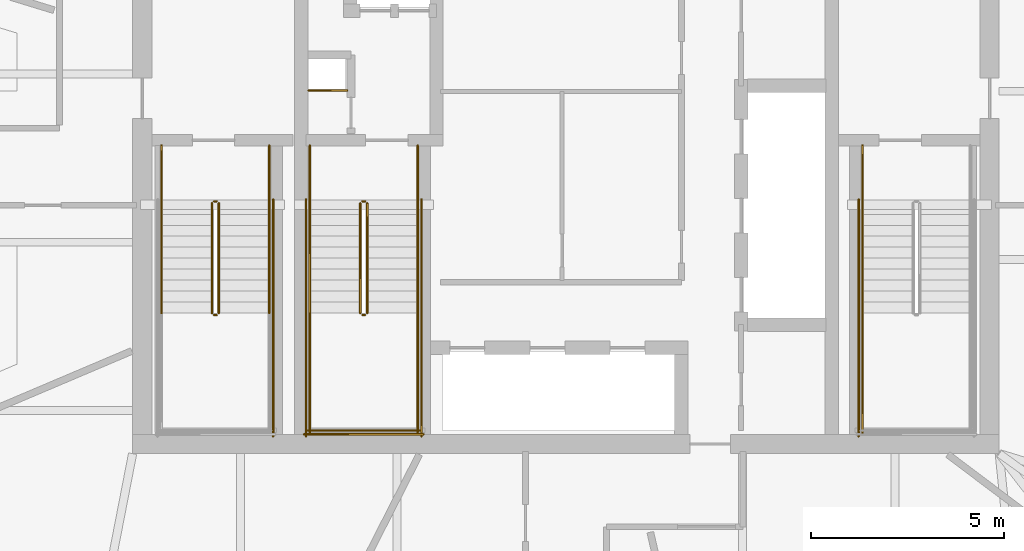
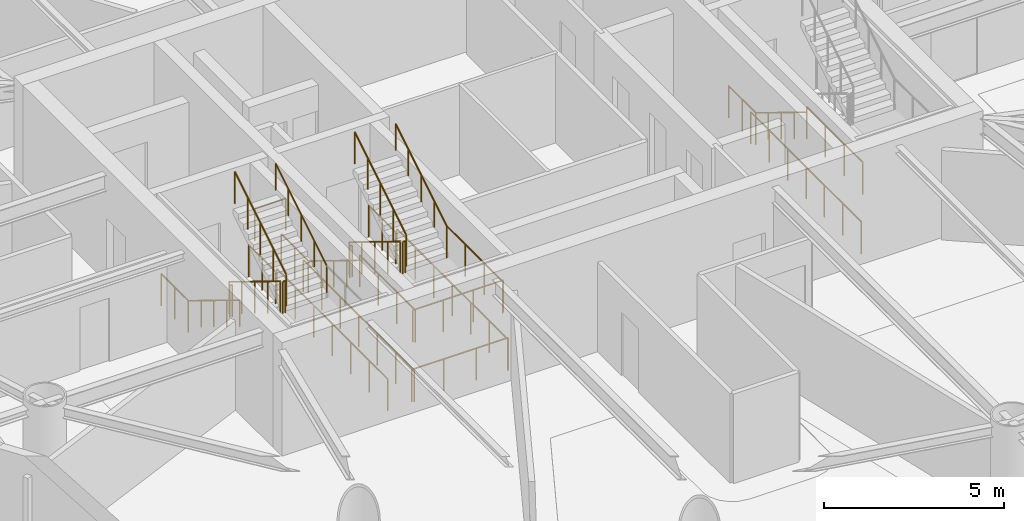
# One storey, part 22 of 25: 28 railings.
"""IFC4 building model written with IfcOpenShell, lengths in metres."""

from ifc_helpers import new_model, si_unit, direction, frame, origin, origin_2d, place, context, subcontext, project, spatial, circle, extrude, material, type_object, element, save


model = new_model("IFC4")

# Units and contexts
model_context = context("Model", 3, precision=1e-05, world=origin(), true_north=direction((0.0, 1.0)))
body_context = subcontext(model_context, "Body", "Model", "MODEL_VIEW")
ifc_project = project(units=[si_unit("LENGTHUNIT", "METRE"), si_unit("AREAUNIT", "SQUARE_METRE"), si_unit("VOLUMEUNIT", "CUBIC_METRE"), si_unit("PLANEANGLEUNIT", "RADIAN"), si_unit("MASSUNIT", "GRAM", prefix="KILO")], contexts=[model_context])

# Site, building, storey
site_placement = place(None, origin())
site = spatial("IfcSite", under=ifc_project, at=site_placement, CompositionType="ELEMENT")
building_placement = place(site_placement, origin())
building = spatial("IfcBuilding", under=site, at=building_placement, Name="Bramvorn Convention Spire", CompositionType="ELEMENT")
storey_placement = place(building_placement, frame((0.0, 0.0, 171.199951171875)))
storey = spatial("IfcBuildingStorey", under=building, at=storey_placement, Name="L43", CompositionType="ELEMENT", Elevation=171.199951171875)

# Railings
ifc_material_1 = material(Name="Painted Steel Balustrade & Guardrail", Category="steel")
railing_type_1 = type_object("IfcRailingType", Name="RL-STAIR-GUARD-1100", PredefinedType="GUARDRAIL", material=ifc_material_1)
railing_1_placement = place(storey_placement, frame((28.81005859375, 25.050048828125, 0.175048828125)))
element("IfcRailing", 1, at=railing_1_placement, inside=storey, type_object=railing_type_1, Name="L43 ST1 stair guard 1", PredefinedType="GUARDRAIL", context=body_context, shape_type="SweptSolid", body=[
    extrude(circle(Radius=0.02392578125, at=origin_2d()), frame((0.0, 0.0, 1.076171875), z_axis=(0.0, -0.852179220489, 0.52325001306), x_axis=(1.0, 0.0, 0.0)), (0.0, 0.0, 1.0), 3.344482421875),
    extrude(circle(Radius=0.02099609375, at=origin_2d()), origin(), (0.0, 0.0, 1.0), 1.052001953125),
    extrude(circle(Radius=0.02099609375, at=origin_2d()), frame((0.0, -0.71240234375, 0.4375)), (0.0, 0.0, 1.0), 1.052001953125),
    extrude(circle(Radius=0.02099609375, at=origin_2d()), frame((0.0, -1.425048828125, 0.875)), (0.0, 0.0, 1.0), 1.052001953125),
    extrude(circle(Radius=0.02099609375, at=origin_2d()), frame((0.0, -2.1376953125, 1.3125)), (0.0, 0.0, 1.0), 1.052001953125),
    extrude(circle(Radius=0.02099609375, at=origin_2d()), frame((0.0, -2.85009765625, 1.75)), (0.0, 0.0, 1.0), 1.052001953125),
])
railing_2_placement = place(storey_placement, frame((28.860107421875, 22.14990234375, 1.925048828125)))
element("IfcRailing", 2, at=railing_2_placement, inside=storey, type_object=railing_type_1, Name="L43 ST1 stair guard 2", PredefinedType="GUARDRAIL", context=body_context, shape_type="SweptSolid", body=[
    extrude(circle(Radius=0.02392578125, at=origin_2d()), frame((0.0, 0.0, 1.076171875), z_axis=(1.0, 0.0, 0.0), x_axis=(0.0, 1.0, 0.0)), (0.0, 0.0, 1.0), 0.079833984375),
    extrude(circle(Radius=0.02099609375, at=origin_2d()), origin(), (0.0, 0.0, 1.0), 1.052001953125),
    extrude(circle(Radius=0.02099609375, at=origin_2d()), frame((0.079833984375, 0.0, 0.0)), (0.0, 0.0, 1.0), 1.052001953125),
])
railing_3_placement = place(storey_placement, frame((28.989990234375, 22.199951171875, 2.10009765625)))
element("IfcRailing", 3, at=railing_3_placement, inside=storey, type_object=railing_type_1, Name="L43 ST1 stair guard 6", PredefinedType="GUARDRAIL", context=body_context, shape_type="SweptSolid", body=[
    extrude(circle(Radius=0.02392578125, at=origin_2d()), frame((0.0, 0.0, 1.076171875), z_axis=(0.0, 0.852179220489, 0.52325001306), x_axis=(-1.0, 0.0, 0.0)), (0.0, 0.0, 1.0), 3.344482421875),
    extrude(circle(Radius=0.02099609375, at=origin_2d()), origin(), (0.0, 0.0, 1.0), 1.052001953125),
    extrude(circle(Radius=0.02099609375, at=origin_2d()), frame((0.0, 0.71240234375, 0.4375)), (0.0, 0.0, 1.0), 1.052001953125),
    extrude(circle(Radius=0.02099609375, at=origin_2d()), frame((0.0, 1.425048828125, 0.875)), (0.0, 0.0, 1.0), 1.052001953125),
    extrude(circle(Radius=0.02099609375, at=origin_2d()), frame((0.0, 2.1376953125, 1.3125)), (0.0, 0.0, 1.0), 1.052001953125),
    extrude(circle(Radius=0.02099609375, at=origin_2d()), frame((0.0, 2.85009765625, 1.75)), (0.0, 0.0, 1.0), 1.052001953125),
])
railing_4_placement = place(storey_placement, frame((28.860107421875, 25.10009765625, 0.0)))
element("IfcRailing", 4, at=railing_4_placement, inside=storey, type_object=railing_type_1, Name="L43 ST1 stair guard 7", PredefinedType="GUARDRAIL", context=body_context, shape_type="SweptSolid", body=[
    extrude(circle(Radius=0.02392578125, at=origin_2d()), frame((0.0, 0.0, 1.076171875), z_axis=(1.0, 0.0, 0.0), x_axis=(0.0, 1.0, 0.0)), (0.0, 0.0, 1.0), 0.079833984375),
    extrude(circle(Radius=0.02099609375, at=origin_2d()), origin(), (0.0, 0.0, 1.0), 1.052001953125),
    extrude(circle(Radius=0.02099609375, at=origin_2d()), frame((0.079833984375, 0.0, 0.0)), (0.0, 0.0, 1.0), 1.052001953125),
])
for number, where, name in (
    (5, (27.5, 26.550048828125, 0.0), "L43 ST1 stair guard 8"),
    (6, (30.300048828125, 26.550048828125, 0.0), "L43 ST1 stair guard 9"),
):
    element("IfcRailing", number, at=place(storey_placement, frame(where)), inside=storey, type_object=railing_type_1, Name=name, PredefinedType="GUARDRAIL", context=body_context, shape_type="SweptSolid", body=[
        extrude(circle(Radius=0.02392578125, at=origin_2d()), frame((0.0, 0.0, 1.076171875), z_axis=(0.0, -1.0, 0.0), x_axis=(1.0, 0.0, 0.0)), (0.0, 0.0, 1.0), 1.5),
        extrude(circle(Radius=0.02099609375, at=origin_2d()), origin(), (0.0, 0.0, 1.0), 1.052001953125),
        extrude(circle(Radius=0.02099609375, at=origin_2d()), frame((0.0, -0.75, 0.0)), (0.0, 0.0, 1.0), 1.052001953125),
        extrude(circle(Radius=0.02099609375, at=origin_2d()), frame((0.0, -1.5, 0.0)), (0.0, 0.0, 1.0), 1.052001953125),
    ])
railing_5_placement = place(storey_placement, frame((30.39990234375, 25.14990234375, 0.0)))
element("IfcRailing", 7, at=railing_5_placement, inside=storey, type_object=railing_type_1, Name="L43 ST1 stair guard 11", PredefinedType="GUARDRAIL", context=body_context, shape_type="SweptSolid", body=[
    extrude(circle(Radius=0.02392578125, at=origin_2d()), frame((0.0, 0.0, 1.076171875), z_axis=(0.0, -1.0, 0.0), x_axis=(1.0, 0.0, 0.0)), (0.0, 0.0, 1.0), 6.14990234375),
    extrude(circle(Radius=0.02099609375, at=origin_2d()), origin(), (0.0, 0.0, 1.0), 1.052001953125),
    extrude(circle(Radius=0.02099609375, at=origin_2d()), frame((0.0, -1.02490234375, 0.0)), (0.0, 0.0, 1.0), 1.052001953125),
    extrude(circle(Radius=0.02099609375, at=origin_2d()), frame((0.0, -2.050048828125, 0.0)), (0.0, 0.0, 1.0), 1.052001953125),
    extrude(circle(Radius=0.02099609375, at=origin_2d()), frame((0.0, -3.074951171875, 0.0)), (0.0, 0.0, 1.0), 1.052001953125),
    extrude(circle(Radius=0.02099609375, at=origin_2d()), frame((0.0, -4.099853515625, 0.0)), (0.0, 0.0, 1.0), 1.052001953125),
    extrude(circle(Radius=0.02099609375, at=origin_2d()), frame((0.0, -5.125, 0.0)), (0.0, 0.0, 1.0), 1.052001953125),
    extrude(circle(Radius=0.02099609375, at=origin_2d()), frame((0.0, -6.14990234375, 0.0)), (0.0, 0.0, 1.0), 1.052001953125),
])
railing_6_placement = place(storey_placement, frame((45.699951171875, 22.199951171875, 1.925048828125)))
element("IfcRailing", 8, at=railing_6_placement, inside=storey, type_object=railing_type_1, Name="L43 ST2 stair guard 3", PredefinedType="GUARDRAIL", context=body_context, shape_type="SweptSolid", body=[
    extrude(circle(Radius=0.02392578125, at=origin_2d()), frame((0.0, 0.0, 1.076171875), z_axis=(0.0, -1.0, 0.0), x_axis=(1.0, 0.0, 0.0)), (0.0, 0.0, 1.0), 3.099853515625),
    extrude(circle(Radius=0.02099609375, at=origin_2d()), origin(), (0.0, 0.0, 1.0), 1.052001953125),
    extrude(circle(Radius=0.02099609375, at=origin_2d()), frame((0.0, -1.033203125, 0.0)), (0.0, 0.0, 1.0), 1.052001953125),
    extrude(circle(Radius=0.02099609375, at=origin_2d()), frame((0.0, -2.066650390625, 0.0)), (0.0, 0.0, 1.0), 1.052001953125),
    extrude(circle(Radius=0.02099609375, at=origin_2d()), frame((0.0, -3.099853515625, 0.0)), (0.0, 0.0, 1.0), 1.052001953125),
])
railing_7_placement = place(storey_placement, frame((45.699951171875, 26.550048828125, 0.0)))
element("IfcRailing", 9, at=railing_7_placement, inside=storey, type_object=railing_type_1, Name="L43 ST2 stair guard 8", PredefinedType="GUARDRAIL", context=body_context, shape_type="SweptSolid", body=[
    extrude(circle(Radius=0.02392578125, at=origin_2d()), frame((0.0, 0.0, 1.076171875), z_axis=(0.0, -1.0, 0.0), x_axis=(1.0, 0.0, 0.0)), (0.0, 0.0, 1.0), 1.5),
    extrude(circle(Radius=0.02099609375, at=origin_2d()), origin(), (0.0, 0.0, 1.0), 1.052001953125),
    extrude(circle(Radius=0.02099609375, at=origin_2d()), frame((0.0, -0.75, 0.0)), (0.0, 0.0, 1.0), 1.052001953125),
    extrude(circle(Radius=0.02099609375, at=origin_2d()), frame((0.0, -1.5, 0.0)), (0.0, 0.0, 1.0), 1.052001953125),
])
railing_8_placement = place(storey_placement, frame((45.60009765625, 25.14990234375, 0.0)))
element("IfcRailing", 10, at=railing_8_placement, inside=storey, type_object=railing_type_1, Name="L43 ST2 stair guard 10", PredefinedType="GUARDRAIL", context=body_context, shape_type="SweptSolid", body=[
    extrude(circle(Radius=0.02392578125, at=origin_2d()), frame((0.0, 0.0, 1.076171875), z_axis=(0.0, -1.0, 0.0), x_axis=(1.0, 0.0, 0.0)), (0.0, 0.0, 1.0), 6.14990234375),
    extrude(circle(Radius=0.02099609375, at=origin_2d()), origin(), (0.0, 0.0, 1.0), 1.052001953125),
    extrude(circle(Radius=0.02099609375, at=origin_2d()), frame((0.0, -1.02490234375, 0.0)), (0.0, 0.0, 1.0), 1.052001953125),
    extrude(circle(Radius=0.02099609375, at=origin_2d()), frame((0.0, -2.050048828125, 0.0)), (0.0, 0.0, 1.0), 1.052001953125),
    extrude(circle(Radius=0.02099609375, at=origin_2d()), frame((0.0, -3.074951171875, 0.0)), (0.0, 0.0, 1.0), 1.052001953125),
    extrude(circle(Radius=0.02099609375, at=origin_2d()), frame((0.0, -4.099853515625, 0.0)), (0.0, 0.0, 1.0), 1.052001953125),
    extrude(circle(Radius=0.02099609375, at=origin_2d()), frame((0.0, -5.125, 0.0)), (0.0, 0.0, 1.0), 1.052001953125),
    extrude(circle(Radius=0.02099609375, at=origin_2d()), frame((0.0, -6.14990234375, 0.0)), (0.0, 0.0, 1.0), 1.052001953125),
])
railing_9_placement = place(storey_placement, frame((32.659912109375, 25.050048828125, 0.175048828125)))
element("IfcRailing", 11, at=railing_9_placement, inside=storey, type_object=railing_type_1, Name="L43 ST3 stair guard 1", PredefinedType="GUARDRAIL", context=body_context, shape_type="SweptSolid", body=[
    extrude(circle(Radius=0.02392578125, at=origin_2d()), frame((0.0, 0.0, 1.076171875), z_axis=(0.0, -0.852179220489, 0.52325001306), x_axis=(1.0, 0.0, 0.0)), (0.0, 0.0, 1.0), 3.344482421875),
    extrude(circle(Radius=0.02099609375, at=origin_2d()), origin(), (0.0, 0.0, 1.0), 1.052001953125),
    extrude(circle(Radius=0.02099609375, at=origin_2d()), frame((0.0, -0.71240234375, 0.4375)), (0.0, 0.0, 1.0), 1.052001953125),
    extrude(circle(Radius=0.02099609375, at=origin_2d()), frame((0.0, -1.425048828125, 0.875)), (0.0, 0.0, 1.0), 1.052001953125),
    extrude(circle(Radius=0.02099609375, at=origin_2d()), frame((0.0, -2.1376953125, 1.3125)), (0.0, 0.0, 1.0), 1.052001953125),
    extrude(circle(Radius=0.02099609375, at=origin_2d()), frame((0.0, -2.85009765625, 1.75)), (0.0, 0.0, 1.0), 1.052001953125),
])
railing_10_placement = place(storey_placement, frame((32.7099609375, 22.14990234375, 1.925048828125)))
element("IfcRailing", 12, at=railing_10_placement, inside=storey, type_object=railing_type_1, Name="L43 ST3 stair guard 2", PredefinedType="GUARDRAIL", context=body_context, shape_type="SweptSolid", body=[
    extrude(circle(Radius=0.02392578125, at=origin_2d()), frame((0.0, 0.0, 1.076171875), z_axis=(1.0, 0.0, 0.0), x_axis=(0.0, 1.0, 0.0)), (0.0, 0.0, 1.0), 0.080078125),
    extrude(circle(Radius=0.02099609375, at=origin_2d()), origin(), (0.0, 0.0, 1.0), 1.052001953125),
    extrude(circle(Radius=0.02099609375, at=origin_2d()), frame((0.080078125, 0.0, 0.0)), (0.0, 0.0, 1.0), 1.052001953125),
])
for number, where, name in (
    (13, (31.35009765625, 22.199951171875, 1.925048828125), "L43 ST3 stair guard 3"),
    (14, (34.14990234375, 22.199951171875, 1.925048828125), "L43 ST3 stair guard 4"),
):
    element("IfcRailing", number, at=place(storey_placement, frame(where)), inside=storey, type_object=railing_type_1, Name=name, PredefinedType="GUARDRAIL", context=body_context, shape_type="SweptSolid", body=[
        extrude(circle(Radius=0.02392578125, at=origin_2d()), frame((0.0, 0.0, 1.076171875), z_axis=(0.0, -1.0, 0.0), x_axis=(1.0, 0.0, 0.0)), (0.0, 0.0, 1.0), 3.099853515625),
        extrude(circle(Radius=0.02099609375, at=origin_2d()), origin(), (0.0, 0.0, 1.0), 1.052001953125),
        extrude(circle(Radius=0.02099609375, at=origin_2d()), frame((0.0, -1.033203125, 0.0)), (0.0, 0.0, 1.0), 1.052001953125),
        extrude(circle(Radius=0.02099609375, at=origin_2d()), frame((0.0, -2.066650390625, 0.0)), (0.0, 0.0, 1.0), 1.052001953125),
        extrude(circle(Radius=0.02099609375, at=origin_2d()), frame((0.0, -3.099853515625, 0.0)), (0.0, 0.0, 1.0), 1.052001953125),
    ])
railing_11_placement = place(storey_placement, frame((31.300048828125, 19.14990234375, 1.925048828125)))
element("IfcRailing", 15, at=railing_11_placement, inside=storey, type_object=railing_type_1, Name="L43 ST3 stair guard 5", PredefinedType="GUARDRAIL", context=body_context, shape_type="SweptSolid", body=[
    extrude(circle(Radius=0.02392578125, at=origin_2d()), frame((0.0, 0.0, 1.076171875), z_axis=(1.0, 0.0, 0.0), x_axis=(0.0, 1.0, 0.0)), (0.0, 0.0, 1.0), 2.89990234375),
    extrude(circle(Radius=0.02099609375, at=origin_2d()), origin(), (0.0, 0.0, 1.0), 1.052001953125),
    extrude(circle(Radius=0.02099609375, at=origin_2d()), frame((0.966552734375, 0.0, 0.0)), (0.0, 0.0, 1.0), 1.052001953125),
    extrude(circle(Radius=0.02099609375, at=origin_2d()), frame((1.933349609375, 0.0, 0.0)), (0.0, 0.0, 1.0), 1.052001953125),
    extrude(circle(Radius=0.02099609375, at=origin_2d()), frame((2.89990234375, 0.0, 0.0)), (0.0, 0.0, 1.0), 1.052001953125),
])
railing_12_placement = place(storey_placement, frame((32.840087890625, 22.199951171875, 2.10009765625)))
element("IfcRailing", 16, at=railing_12_placement, inside=storey, type_object=railing_type_1, Name="L43 ST3 stair guard 6", PredefinedType="GUARDRAIL", context=body_context, shape_type="SweptSolid", body=[
    extrude(circle(Radius=0.02392578125, at=origin_2d()), frame((0.0, 0.0, 1.076171875), z_axis=(0.0, 0.852179220489, 0.52325001306), x_axis=(-1.0, 0.0, 0.0)), (0.0, 0.0, 1.0), 3.344482421875),
    extrude(circle(Radius=0.02099609375, at=origin_2d()), origin(), (0.0, 0.0, 1.0), 1.052001953125),
    extrude(circle(Radius=0.02099609375, at=origin_2d()), frame((0.0, 0.71240234375, 0.4375)), (0.0, 0.0, 1.0), 1.052001953125),
    extrude(circle(Radius=0.02099609375, at=origin_2d()), frame((0.0, 1.425048828125, 0.875)), (0.0, 0.0, 1.0), 1.052001953125),
    extrude(circle(Radius=0.02099609375, at=origin_2d()), frame((0.0, 2.1376953125, 1.3125)), (0.0, 0.0, 1.0), 1.052001953125),
    extrude(circle(Radius=0.02099609375, at=origin_2d()), frame((0.0, 2.85009765625, 1.75)), (0.0, 0.0, 1.0), 1.052001953125),
])
railing_13_placement = place(storey_placement, frame((32.7099609375, 25.10009765625, 0.0)))
element("IfcRailing", 17, at=railing_13_placement, inside=storey, type_object=railing_type_1, Name="L43 ST3 stair guard 7", PredefinedType="GUARDRAIL", context=body_context, shape_type="SweptSolid", body=[
    extrude(circle(Radius=0.02392578125, at=origin_2d()), frame((0.0, 0.0, 1.076171875), z_axis=(1.0, 0.0, 0.0), x_axis=(0.0, 1.0, 0.0)), (0.0, 0.0, 1.0), 0.080078125),
    extrude(circle(Radius=0.02099609375, at=origin_2d()), origin(), (0.0, 0.0, 1.0), 1.052001953125),
    extrude(circle(Radius=0.02099609375, at=origin_2d()), frame((0.080078125, 0.0, 0.0)), (0.0, 0.0, 1.0), 1.052001953125),
])
for number, where, name in (
    (18, (31.35009765625, 26.550048828125, 0.0), "L43 ST3 stair guard 8"),
    (19, (34.14990234375, 26.550048828125, 0.0), "L43 ST3 stair guard 9"),
):
    element("IfcRailing", number, at=place(storey_placement, frame(where)), inside=storey, type_object=railing_type_1, Name=name, PredefinedType="GUARDRAIL", context=body_context, shape_type="SweptSolid", body=[
        extrude(circle(Radius=0.02392578125, at=origin_2d()), frame((0.0, 0.0, 1.076171875), z_axis=(0.0, -1.0, 0.0), x_axis=(1.0, 0.0, 0.0)), (0.0, 0.0, 1.0), 1.5),
        extrude(circle(Radius=0.02099609375, at=origin_2d()), origin(), (0.0, 0.0, 1.0), 1.052001953125),
        extrude(circle(Radius=0.02099609375, at=origin_2d()), frame((0.0, -0.75, 0.0)), (0.0, 0.0, 1.0), 1.052001953125),
        extrude(circle(Radius=0.02099609375, at=origin_2d()), frame((0.0, -1.5, 0.0)), (0.0, 0.0, 1.0), 1.052001953125),
    ])
for number, where, name in (
    (20, (31.25, 25.14990234375, 0.0), "L43 ST3 stair guard 10"),
    (21, (34.25, 25.14990234375, 0.0), "L43 ST3 stair guard 11"),
):
    element("IfcRailing", number, at=place(storey_placement, frame(where)), inside=storey, type_object=railing_type_1, Name=name, PredefinedType="GUARDRAIL", context=body_context, shape_type="SweptSolid", body=[
        extrude(circle(Radius=0.02392578125, at=origin_2d()), frame((0.0, 0.0, 1.076171875), z_axis=(0.0, -1.0, 0.0), x_axis=(1.0, 0.0, 0.0)), (0.0, 0.0, 1.0), 6.14990234375),
        extrude(circle(Radius=0.02099609375, at=origin_2d()), origin(), (0.0, 0.0, 1.0), 1.052001953125),
        extrude(circle(Radius=0.02099609375, at=origin_2d()), frame((0.0, -1.02490234375, 0.0)), (0.0, 0.0, 1.0), 1.052001953125),
        extrude(circle(Radius=0.02099609375, at=origin_2d()), frame((0.0, -2.050048828125, 0.0)), (0.0, 0.0, 1.0), 1.052001953125),
        extrude(circle(Radius=0.02099609375, at=origin_2d()), frame((0.0, -3.074951171875, 0.0)), (0.0, 0.0, 1.0), 1.052001953125),
        extrude(circle(Radius=0.02099609375, at=origin_2d()), frame((0.0, -4.099853515625, 0.0)), (0.0, 0.0, 1.0), 1.052001953125),
        extrude(circle(Radius=0.02099609375, at=origin_2d()), frame((0.0, -5.125, 0.0)), (0.0, 0.0, 1.0), 1.052001953125),
        extrude(circle(Radius=0.02099609375, at=origin_2d()), frame((0.0, -6.14990234375, 0.0)), (0.0, 0.0, 1.0), 1.052001953125),
    ])
railing_14_placement = place(storey_placement, frame((31.199951171875, 19.050048828125, 0.0)))
element("IfcRailing", 22, at=railing_14_placement, inside=storey, type_object=railing_type_1, Name="L43 ST3 stair guard 12", PredefinedType="GUARDRAIL", context=body_context, shape_type="SweptSolid", body=[
    extrude(circle(Radius=0.02392578125, at=origin_2d()), frame((0.0, 0.0, 1.076171875), z_axis=(1.0, 0.0, 0.0), x_axis=(0.0, 1.0, 0.0)), (0.0, 0.0, 1.0), 3.10009765625),
    extrude(circle(Radius=0.02099609375, at=origin_2d()), origin(), (0.0, 0.0, 1.0), 1.052001953125),
    extrude(circle(Radius=0.02099609375, at=origin_2d()), frame((1.033447265625, 0.0, 0.0)), (0.0, 0.0, 1.0), 1.052001953125),
    extrude(circle(Radius=0.02099609375, at=origin_2d()), frame((2.066650390625, 0.0, 0.0)), (0.0, 0.0, 1.0), 1.052001953125),
    extrude(circle(Radius=0.02099609375, at=origin_2d()), frame((3.10009765625, 0.0, 0.0)), (0.0, 0.0, 1.0), 1.052001953125),
])
railing_15_placement = place(storey_placement, frame((31.320068359375, 27.97998046875, 0.0)))
element("IfcRailing", 23, at=railing_15_placement, inside=storey, type_object=railing_type_1, Name="L43 Telecom riser shaft opening safety guardrail", PredefinedType="GUARDRAIL", context=body_context, shape_type="SweptSolid", body=[
    extrude(circle(Radius=0.02392578125, at=origin_2d()), frame((0.0, 0.0, 1.076171875), z_axis=(1.0, 0.0, 0.0), x_axis=(0.0, 1.0, 0.0)), (0.0, 0.0, 1.0), 1.0),
    extrude(circle(Radius=0.02099609375, at=origin_2d()), origin(), (0.0, 0.0, 1.0), 1.052001953125),
    extrude(circle(Radius=0.02099609375, at=origin_2d()), frame((1.0, 0.0, 0.0)), (0.0, 0.0, 1.0), 1.052001953125),
])
ifc_material_2 = material(Name="Brushed Bronze Tubular Handrail", Category="aluminium")
railing_type_2 = type_object("IfcRailingType", Name="RL-STAIR-HR-920", PredefinedType="HANDRAIL", material=ifc_material_2)
railing_16_placement = place(storey_placement, frame((27.5, 25.050048828125, 0.175048828125)))
element("IfcRailing", 24, at=railing_16_placement, inside=storey, type_object=railing_type_2, Name="L43 ST1 stair handrail 1", PredefinedType="HANDRAIL", context=body_context, shape_type="SweptSolid", body=[
    extrude(circle(Radius=0.02392578125, at=origin_2d()), frame((0.0, 0.0, 0.89599609375), z_axis=(0.0, -0.852179220489, 0.52325001306), x_axis=(1.0, 0.0, 0.0)), (0.0, 0.0, 1.0), 3.344482421875),
    extrude(circle(Radius=0.02099609375, at=origin_2d()), origin(), (0.0, 0.0, 1.0), 0.871826171875),
    extrude(circle(Radius=0.02099609375, at=origin_2d()), frame((0.0, -0.71240234375, 0.4375)), (0.0, 0.0, 1.0), 0.871826171875),
    extrude(circle(Radius=0.02099609375, at=origin_2d()), frame((0.0, -1.425048828125, 0.875)), (0.0, 0.0, 1.0), 0.871826171875),
    extrude(circle(Radius=0.02099609375, at=origin_2d()), frame((0.0, -2.1376953125, 1.3125)), (0.0, 0.0, 1.0), 0.871826171875),
    extrude(circle(Radius=0.02099609375, at=origin_2d()), frame((0.0, -2.85009765625, 1.75)), (0.0, 0.0, 1.0), 0.871826171875),
])
railing_17_placement = place(storey_placement, frame((30.300048828125, 22.199951171875, 2.10009765625)))
element("IfcRailing", 25, at=railing_17_placement, inside=storey, type_object=railing_type_2, Name="L43 ST1 stair handrail 2", PredefinedType="HANDRAIL", context=body_context, shape_type="SweptSolid", body=[
    extrude(circle(Radius=0.02392578125, at=origin_2d()), frame((0.0, 0.0, 0.89599609375), z_axis=(0.0, 0.852179220489, 0.52325001306), x_axis=(-1.0, 0.0, 0.0)), (0.0, 0.0, 1.0), 3.344482421875),
    extrude(circle(Radius=0.02099609375, at=origin_2d()), origin(), (0.0, 0.0, 1.0), 0.871826171875),
    extrude(circle(Radius=0.02099609375, at=origin_2d()), frame((0.0, 0.71240234375, 0.4375)), (0.0, 0.0, 1.0), 0.871826171875),
    extrude(circle(Radius=0.02099609375, at=origin_2d()), frame((0.0, 1.425048828125, 0.875)), (0.0, 0.0, 1.0), 0.871826171875),
    extrude(circle(Radius=0.02099609375, at=origin_2d()), frame((0.0, 2.1376953125, 1.3125)), (0.0, 0.0, 1.0), 0.871826171875),
    extrude(circle(Radius=0.02099609375, at=origin_2d()), frame((0.0, 2.85009765625, 1.75)), (0.0, 0.0, 1.0), 0.871826171875),
])
for number, where, name in (
    (26, (45.699951171875, 25.050048828125, 0.175048828125), "L43 ST2 stair handrail 1"),
    (27, (31.35009765625, 25.050048828125, 0.175048828125), "L43 ST3 stair handrail 1"),
):
    element("IfcRailing", number, at=place(storey_placement, frame(where)), inside=storey, type_object=railing_type_2, Name=name, PredefinedType="HANDRAIL", context=body_context, shape_type="SweptSolid", body=[
        extrude(circle(Radius=0.02392578125, at=origin_2d()), frame((0.0, 0.0, 0.89599609375), z_axis=(0.0, -0.852179220489, 0.52325001306), x_axis=(1.0, 0.0, 0.0)), (0.0, 0.0, 1.0), 3.344482421875),
        extrude(circle(Radius=0.02099609375, at=origin_2d()), origin(), (0.0, 0.0, 1.0), 0.871826171875),
        extrude(circle(Radius=0.02099609375, at=origin_2d()), frame((0.0, -0.71240234375, 0.4375)), (0.0, 0.0, 1.0), 0.871826171875),
        extrude(circle(Radius=0.02099609375, at=origin_2d()), frame((0.0, -1.425048828125, 0.875)), (0.0, 0.0, 1.0), 0.871826171875),
        extrude(circle(Radius=0.02099609375, at=origin_2d()), frame((0.0, -2.1376953125, 1.3125)), (0.0, 0.0, 1.0), 0.871826171875),
        extrude(circle(Radius=0.02099609375, at=origin_2d()), frame((0.0, -2.85009765625, 1.75)), (0.0, 0.0, 1.0), 0.871826171875),
    ])
railing_18_placement = place(storey_placement, frame((34.14990234375, 22.199951171875, 2.10009765625)))
element("IfcRailing", 28, at=railing_18_placement, inside=storey, type_object=railing_type_2, Name="L43 ST3 stair handrail 2", PredefinedType="HANDRAIL", context=body_context, shape_type="SweptSolid", body=[
    extrude(circle(Radius=0.02392578125, at=origin_2d()), frame((0.0, 0.0, 0.89599609375), z_axis=(0.0, 0.852179220489, 0.52325001306), x_axis=(-1.0, 0.0, 0.0)), (0.0, 0.0, 1.0), 3.344482421875),
    extrude(circle(Radius=0.02099609375, at=origin_2d()), origin(), (0.0, 0.0, 1.0), 0.871826171875),
    extrude(circle(Radius=0.02099609375, at=origin_2d()), frame((0.0, 0.71240234375, 0.4375)), (0.0, 0.0, 1.0), 0.871826171875),
    extrude(circle(Radius=0.02099609375, at=origin_2d()), frame((0.0, 1.425048828125, 0.875)), (0.0, 0.0, 1.0), 0.871826171875),
    extrude(circle(Radius=0.02099609375, at=origin_2d()), frame((0.0, 2.1376953125, 1.3125)), (0.0, 0.0, 1.0), 0.871826171875),
    extrude(circle(Radius=0.02099609375, at=origin_2d()), frame((0.0, 2.85009765625, 1.75)), (0.0, 0.0, 1.0), 0.871826171875),
])

save(model, "model.ifc")
